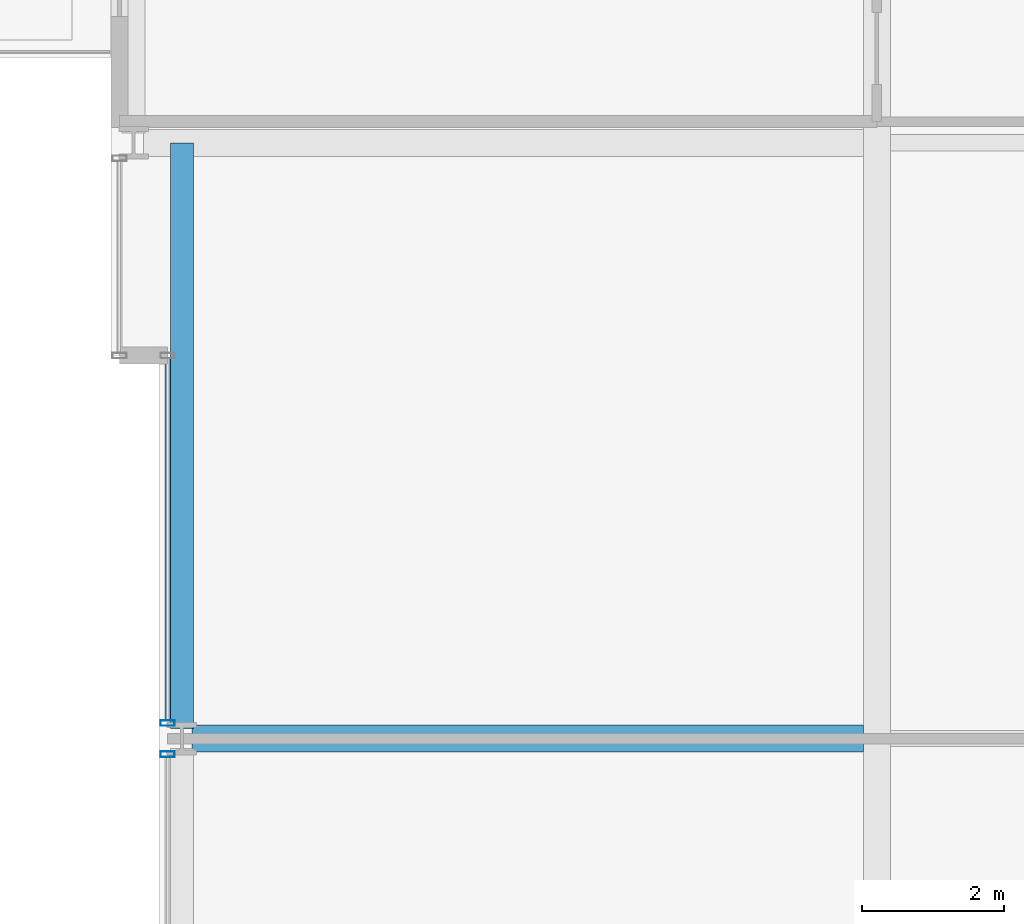
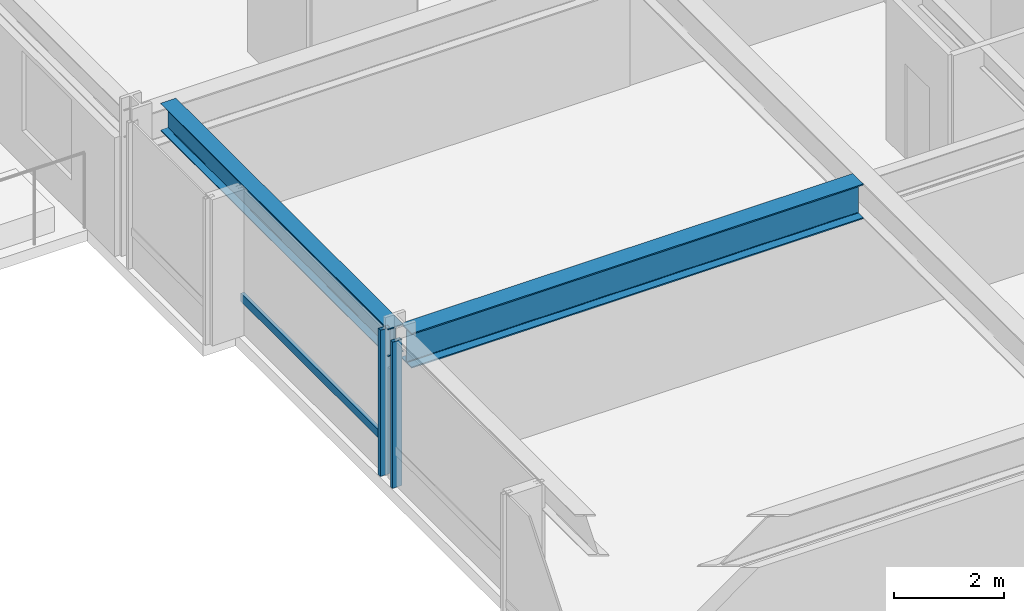
# One storey, part 9 of 33: 3 members, 2 beams, 2 elements without a shape of their own.
"""IFC4 building model written with IfcOpenShell, lengths in metres."""

from ifc_helpers import new_model, si_unit, direction, frame, origin, origin_2d, place, context, subcontext, project, spatial, hollow_rectangle, i_section, extrude, material, layer, layer_set, material_profile, profile_set, type_object, element, aggregate, save


model = new_model("IFC4")

# Units and contexts
model_context = context("Model", 3, precision=1e-05, world=origin(), true_north=direction((0.0, 1.0)))
body_context = subcontext(model_context, "Body", "Model", "MODEL_VIEW")
ifc_project = project(units=[si_unit("LENGTHUNIT", "METRE"), si_unit("AREAUNIT", "SQUARE_METRE"), si_unit("VOLUMEUNIT", "CUBIC_METRE"), si_unit("PLANEANGLEUNIT", "RADIAN"), si_unit("MASSUNIT", "GRAM", prefix="KILO")], contexts=[model_context])

# Site, building, storey
site_placement = place(None, origin())
site = spatial("IfcSite", under=ifc_project, at=site_placement, CompositionType="ELEMENT")
building_placement = place(site_placement, origin())
building = spatial("IfcBuilding", under=site, at=building_placement, Name="Drelvath Grand Hotel", CompositionType="ELEMENT")
storey_placement = place(building_placement, frame((0.0, 0.0, 105.800048828125)))
storey = spatial("IfcBuildingStorey", under=building, at=storey_placement, Name="L26", CompositionType="ELEMENT", Elevation=105.800048828125)

# Curtain wall, member
ifc_material_1 = material(Name="Champagne Bronze Anodised Aluminium Frame", Category="aluminium")
ifc_layer = layer(ifc_material_1, 0.199951171875)
ifc_layer_set = layer_set([ifc_layer], Name="Champagne Bronze Anodised Aluminium Frame")
curtain_wall_type = type_object("IfcCurtainWallType", Name="Stick Curtain Wall CW-03 Champagne Bronze Mid-Rise", PredefinedType="NOTDEFINED", material=ifc_layer_set)
curtain_wall_1_placement = place(storey_placement, origin())
curtain_wall_1 = element("IfcCurtainWall", 1, at=curtain_wall_1_placement, inside=storey, type_object=curtain_wall_type, Name="L26 CW-03 Curtain Wall CW03-L26-WM2", PredefinedType="NOTDEFINED")
ifc_material_profile_1 = material_profile(ifc_material_1, hollow_rectangle(XDim=0.074951171875, YDim=0.179931640625, WallThickness=0.0048828125, at=origin_2d()), Name="HSS180X75X5")
ifc_profile_set_1 = profile_set([ifc_material_profile_1], Name="Champagne Bronze Anodised Aluminium Frame")
member_type_1 = type_object("IfcMemberType", Name="Curtain Wall Horizontal Transom CW-03 HSS180X75X5", PredefinedType="USERDEFINED", material=ifc_profile_set_1)
member_1_placement = place(storey_placement, frame((-26.199951171875, 27.259521484375, 0.81005859375), z_axis=(0.0, 1.0, 0.0), x_axis=(-1.0, 0.0, 0.0)))
member_1 = element("IfcMember", 2, at=member_1_placement, type_object=member_type_1, Name="CW03-L26-WM2 Sill Transom", ObjectType="TRANSOM", PredefinedType="USERDEFINED", context=body_context, shape_type="SweptSolid", body=[
    extrude(hollow_rectangle(XDim=0.074951171875, YDim=0.179931640625, WallThickness=0.0048828125, at=origin_2d()), origin(), (0.0, 0.0, 1.0), 5.1005859375),
])

curtain_wall_2_placement = place(storey_placement, origin())
curtain_wall_2 = element("IfcCurtainWall", 3, at=curtain_wall_2_placement, inside=storey, type_object=curtain_wall_type, Name="L26 CW-03 Curtain Wall CW03-L26-WM1", PredefinedType="NOTDEFINED")
ifc_material_profile_2 = material_profile(ifc_material_1, hollow_rectangle(XDim=0.080078125, YDim=0.199951171875, WallThickness=0.0048828125, at=origin_2d()), Name="HSS200X80X5")
ifc_profile_set_2 = profile_set([ifc_material_profile_2], Name="Champagne Bronze Anodised Aluminium Frame")
member_type_2 = type_object("IfcMemberType", Name="Curtain Wall Vertical Mullion CW-03 HSS200X80X5", PredefinedType="MULLION", material=ifc_profile_set_2)
member_2_placement = place(storey_placement, frame((-26.199951171875, 26.780517578125, 0.0), z_axis=(0.0, 0.0, 1.0), x_axis=(0.0, 1.0, 0.0)))
member_2 = element("IfcMember", 4, at=member_2_placement, type_object=member_type_2, Name="CW03-L26-WM1 Mullion 2", PredefinedType="MULLION", context=body_context, shape_type="SweptSolid", body=[
    extrude(hollow_rectangle(XDim=0.080078125, YDim=0.199951171875, WallThickness=0.0048828125, at=origin_2d()), origin(), (0.0, 0.0, 1.0), 3.239990234375),
])
aggregate(curtain_wall_2, [member_2])

# Member
member_3_placement = place(storey_placement, frame((-26.199951171875, 27.219482421875, 0.0), z_axis=(0.0, 0.0, 1.0), x_axis=(0.0, 1.0, 0.0)))
member_3 = element("IfcMember", 5, at=member_3_placement, type_object=member_type_2, Name="CW03-L26-WM2 Mullion 1", PredefinedType="MULLION", context=body_context, shape_type="SweptSolid", body=[
    extrude(hollow_rectangle(XDim=0.080078125, YDim=0.199951171875, WallThickness=0.0048828125, at=origin_2d()), origin(), (0.0, 0.0, 1.0), 3.239990234375),
])

aggregate(curtain_wall_1, [member_3, member_1])

# Beams
ifc_material_2 = material(Name="Steel ASTM A992 Gr 50", Category="steel")
ifc_material_profile_3 = material_profile(ifc_material_2, i_section(OverallWidth=0.323974609375, OverallDepth=0.611083984375, WebThickness=0.0126953125, FlangeThickness=0.01904296875, FilletRadius=0.02197265625, at=origin_2d()), Name="W24X104")
ifc_profile_set_3 = profile_set([ifc_material_profile_3], Name="Steel ASTM A992 Gr 50")
beam_type_1 = type_object("IfcBeamType", Name="Perimeter Spandrel Beam W24X104", PredefinedType="SPANDREL", material=ifc_profile_set_3)
beam_1_placement = place(storey_placement, frame((-26.0, 27.139892578125, 2.9345703125), z_axis=(0.0, 1.0, 0.0), x_axis=(-1.0, 0.0, 0.0)))
element("IfcBeam", 6, at=beam_1_placement, inside=storey, type_object=beam_type_1, Name="L26 Spandrel West Mid N", PredefinedType="SPANDREL", context=body_context, shape_type="SweptSolid", body=[
    extrude(i_section(OverallWidth=0.323974609375, OverallDepth=0.611083984375, WebThickness=0.0126953125, FlangeThickness=0.01904296875, FilletRadius=0.02197265625, at=origin_2d()), origin(), (0.0, 0.0, 1.0), 8.260009765625),
])
ifc_material_profile_4 = material_profile(ifc_material_2, i_section(OverallWidth=0.380615234375, OverallDepth=0.773193359375, WebThickness=0.0166015625, FlangeThickness=0.027099609375, FilletRadius=0.02490234375, at=origin_2d()), Name="W30X173")
ifc_profile_set_4 = profile_set([ifc_material_profile_4], Name="Steel ASTM A992 Gr 50")
beam_type_2 = type_object("IfcBeamType", Name="Primary Floor Girder W30X173", PredefinedType="BEAM", material=ifc_profile_set_4)
beam_2_placement = place(storey_placement, frame((-25.860107421875, 27.0, 2.853271484375), z_axis=(1.0, 0.0, 0.0), x_axis=(0.0, 1.0, 0.0)))
element("IfcBeam", 7, at=beam_2_placement, inside=storey, type_object=beam_type_2, Name="L26 West Wing Girder E", PredefinedType="BEAM", context=body_context, shape_type="SweptSolid", body=[
    extrude(i_section(OverallWidth=0.380615234375, OverallDepth=0.773193359375, WebThickness=0.0166015625, FlangeThickness=0.027099609375, FilletRadius=0.02490234375, at=origin_2d()), origin(), (0.0, 0.0, 1.0), 9.4697265625),
])

save(model, "model.ifc")
